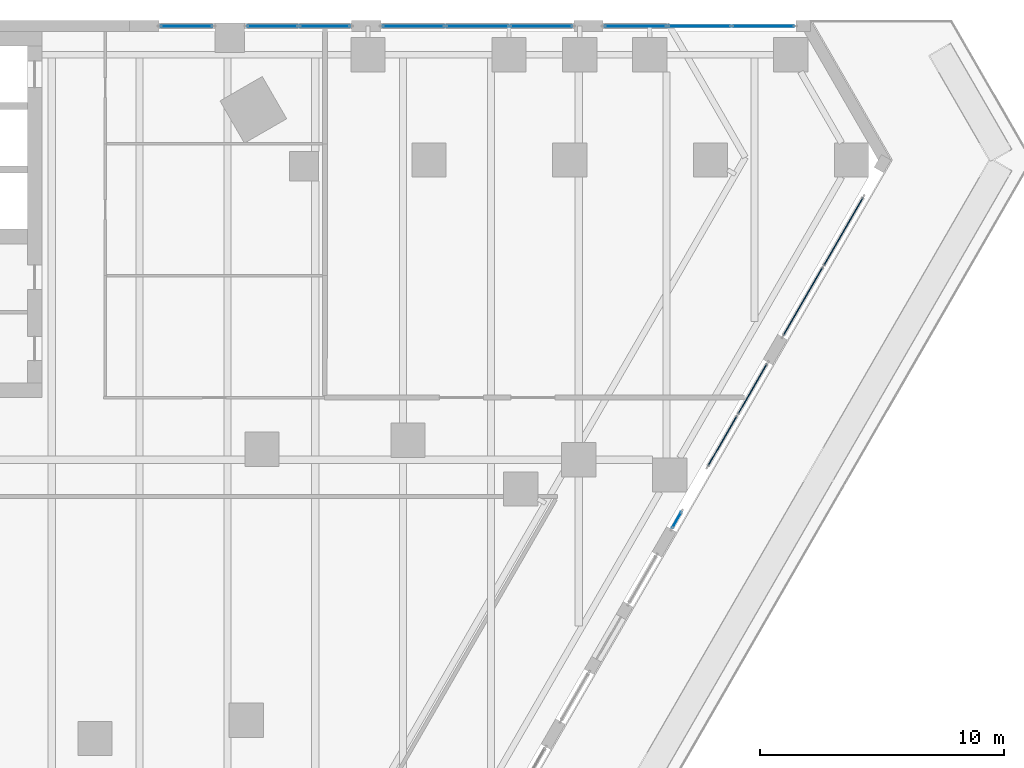
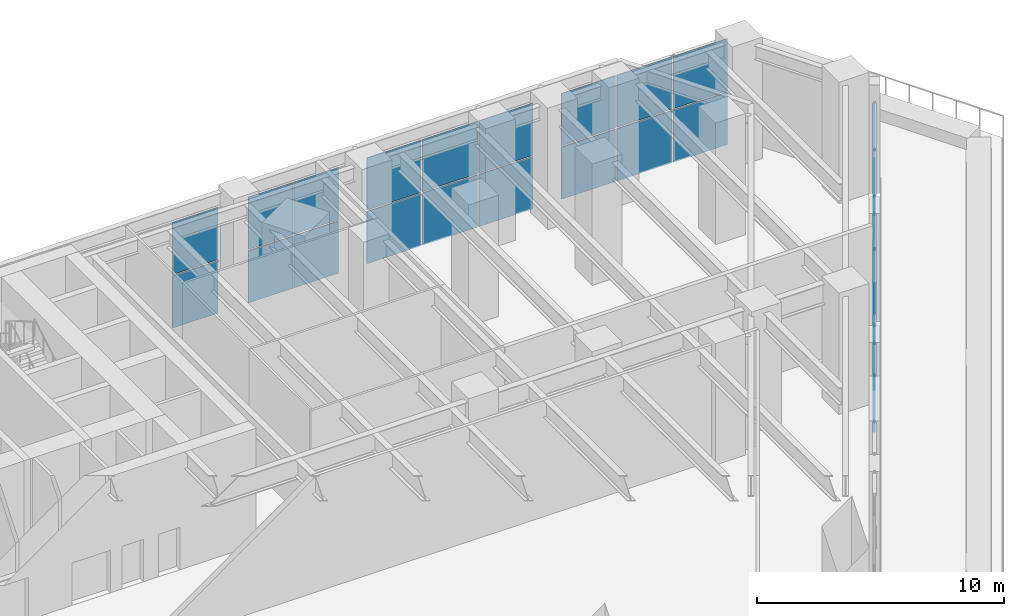
# One storey, part 27 of 40: 28 plates, 7 elements without a shape of their own.
"""IFC4 building model written with IfcOpenShell, lengths in metres."""

from ifc_helpers import new_model, si_unit, direction, frame, origin, origin_2d, place, context, subcontext, project, spatial, rectangle, extrude, material, layer, layer_set, type_object, element, aggregate, save


model = new_model("IFC4")

# Units and contexts
model_context = context("Model", 3, precision=1e-05, world=origin(), true_north=direction((0.0, 1.0)))
body_context = subcontext(model_context, "Body", "Model", "MODEL_VIEW")
ifc_project = project(units=[si_unit("LENGTHUNIT", "METRE"), si_unit("AREAUNIT", "SQUARE_METRE"), si_unit("VOLUMEUNIT", "CUBIC_METRE"), si_unit("PLANEANGLEUNIT", "RADIAN"), si_unit("MASSUNIT", "GRAM", prefix="KILO")], contexts=[model_context])

# Site, building, storey
site_placement = place(None, origin())
site = spatial("IfcSite", under=ifc_project, at=site_placement, CompositionType="ELEMENT")
building_placement = place(site_placement, origin())
building = spatial("IfcBuilding", under=site, at=building_placement, Name="Aloe Facet Convention Tower", CompositionType="ELEMENT")
storey_placement = place(building_placement, frame((0.0, 0.0, 13.5)))
storey = spatial("IfcBuildingStorey", under=building, at=storey_placement, Name="L02", CompositionType="ELEMENT", Elevation=13.5)

# Curtain wall, plates
ifc_material_1 = material(Name="Aluminium, anodised", Category="aluminium")
curtain_wall_type = type_object("IfcCurtainWallType", Name="EV-CW-HALL", PredefinedType="USERDEFINED", material=ifc_material_1)
curtain_wall_1_placement = place(storey_placement, origin())
curtain_wall_1 = element("IfcCurtainWall", 1, at=curtain_wall_1_placement, inside=storey, type_object=curtain_wall_type, Name="CW-L02-N02", ObjectType="UNITISED HALL GLAZING", PredefinedType="USERDEFINED")
ifc_material_2 = material(Name="Clear double glazing", Category="glass")
ifc_layer = layer(ifc_material_2, 0.035888671875)
ifc_layer_set = layer_set([ifc_layer], Name="EV-PANEL-HALL")
plate_type = type_object("IfcPlateType", Name="EV-PANEL-HALL", PredefinedType="CURTAIN_PANEL", material=ifc_layer_set)
plate_1_placement = place(storey_placement, frame((123.561279296875, 134.77490234375, -0.23486328125), z_axis=(0.0, 0.0, 1.0), x_axis=(-1.0, 0.0, 0.0)))
plate_1 = element("IfcPlate", 2, at=plate_1_placement, type_object=plate_type, Name="CW-L02-N02 panel 1.1", PredefinedType="CURTAIN_PANEL", context=body_context, shape_type="SweptSolid", body=[
    extrude(rectangle(XDim=2.535400390625, YDim=0.035888671875, at=origin_2d()), origin(), (0.0, 0.0, 1.0), 2.583740234375),
])
plate_2_placement = place(storey_placement, frame((123.561279296875, 134.77490234375, 2.41357421875), z_axis=(0.0, 0.0, 1.0), x_axis=(-1.0, 0.0, 0.0)))
plate_2 = element("IfcPlate", 3, at=plate_2_placement, type_object=plate_type, Name="CW-L02-N02 panel 1.2", PredefinedType="CURTAIN_PANEL", context=body_context, shape_type="SweptSolid", body=[
    extrude(rectangle(XDim=2.535400390625, YDim=0.035888671875, at=origin_2d()), origin(), (0.0, 0.0, 1.0), 2.583740234375),
])
plate_3_placement = place(storey_placement, frame((120.944580078125, 134.77490234375, -0.23486328125), z_axis=(0.0, 0.0, 1.0), x_axis=(-1.0, 0.0, 0.0)))
plate_3 = element("IfcPlate", 4, at=plate_3_placement, type_object=plate_type, Name="CW-L02-N02 panel 2.1", PredefinedType="CURTAIN_PANEL", context=body_context, shape_type="SweptSolid", body=[
    extrude(rectangle(XDim=2.56787109375, YDim=0.035888671875, at=origin_2d()), origin(), (0.0, 0.0, 1.0), 2.583740234375),
])
plate_4_placement = place(storey_placement, frame((120.944580078125, 134.77490234375, 2.41357421875), z_axis=(0.0, 0.0, 1.0), x_axis=(-1.0, 0.0, 0.0)))
plate_4 = element("IfcPlate", 5, at=plate_4_placement, type_object=plate_type, Name="CW-L02-N02 panel 2.2", PredefinedType="CURTAIN_PANEL", context=body_context, shape_type="SweptSolid", body=[
    extrude(rectangle(XDim=2.56787109375, YDim=0.035888671875, at=origin_2d()), origin(), (0.0, 0.0, 1.0), 2.583740234375),
])
plate_5_placement = place(storey_placement, frame((118.327880859375, 134.77490234375, -0.23486328125), z_axis=(0.0, 0.0, 1.0), x_axis=(-1.0, 0.0, 0.0)))
plate_5 = element("IfcPlate", 6, at=plate_5_placement, type_object=plate_type, Name="CW-L02-N02 panel 3.1", PredefinedType="CURTAIN_PANEL", context=body_context, shape_type="SweptSolid", body=[
    extrude(rectangle(XDim=2.535400390625, YDim=0.035888671875, at=origin_2d()), origin(), (0.0, 0.0, 1.0), 2.583740234375),
])
plate_6_placement = place(storey_placement, frame((118.327880859375, 134.77490234375, 2.41357421875), z_axis=(0.0, 0.0, 1.0), x_axis=(-1.0, 0.0, 0.0)))
plate_6 = element("IfcPlate", 7, at=plate_6_placement, type_object=plate_type, Name="CW-L02-N02 panel 3.2", PredefinedType="CURTAIN_PANEL", context=body_context, shape_type="SweptSolid", body=[
    extrude(rectangle(XDim=2.535400390625, YDim=0.035888671875, at=origin_2d()), origin(), (0.0, 0.0, 1.0), 2.583740234375),
])
aggregate(curtain_wall_1, [plate_1, plate_2, plate_3, plate_4, plate_5, plate_6])

curtain_wall_2_placement = place(storey_placement, origin())
curtain_wall_2 = element("IfcCurtainWall", 8, at=curtain_wall_2_placement, inside=storey, type_object=curtain_wall_type, Name="CW-L02-N04", ObjectType="UNITISED HALL GLAZING", PredefinedType="USERDEFINED")
plate_7_placement = place(storey_placement, frame((114.46240234375, 134.77490234375, -0.23486328125), z_axis=(0.0, 0.0, 1.0), x_axis=(-1.0, 0.0, 0.0)))
plate_7 = element("IfcPlate", 9, at=plate_7_placement, type_object=plate_type, Name="CW-L02-N04 panel 1.1", PredefinedType="CURTAIN_PANEL", context=body_context, shape_type="SweptSolid", body=[
    extrude(rectangle(XDim=2.535400390625, YDim=0.035888671875, at=origin_2d()), origin(), (0.0, 0.0, 1.0), 2.583740234375),
])
plate_8_placement = place(storey_placement, frame((114.46240234375, 134.77490234375, 2.41357421875), z_axis=(0.0, 0.0, 1.0), x_axis=(-1.0, 0.0, 0.0)))
plate_8 = element("IfcPlate", 10, at=plate_8_placement, type_object=plate_type, Name="CW-L02-N04 panel 1.2", PredefinedType="CURTAIN_PANEL", context=body_context, shape_type="SweptSolid", body=[
    extrude(rectangle(XDim=2.535400390625, YDim=0.035888671875, at=origin_2d()), origin(), (0.0, 0.0, 1.0), 2.583740234375),
])
plate_9_placement = place(storey_placement, frame((111.845703125, 134.77490234375, -0.23486328125), z_axis=(0.0, 0.0, 1.0), x_axis=(-1.0, 0.0, 0.0)))
plate_9 = element("IfcPlate", 11, at=plate_9_placement, type_object=plate_type, Name="CW-L02-N04 panel 2.1", PredefinedType="CURTAIN_PANEL", context=body_context, shape_type="SweptSolid", body=[
    extrude(rectangle(XDim=2.56787109375, YDim=0.035888671875, at=origin_2d()), origin(), (0.0, 0.0, 1.0), 2.583740234375),
])
plate_10_placement = place(storey_placement, frame((111.845703125, 134.77490234375, 2.41357421875), z_axis=(0.0, 0.0, 1.0), x_axis=(-1.0, 0.0, 0.0)))
plate_10 = element("IfcPlate", 12, at=plate_10_placement, type_object=plate_type, Name="CW-L02-N04 panel 2.2", PredefinedType="CURTAIN_PANEL", context=body_context, shape_type="SweptSolid", body=[
    extrude(rectangle(XDim=2.56787109375, YDim=0.035888671875, at=origin_2d()), origin(), (0.0, 0.0, 1.0), 2.583740234375),
])
plate_11_placement = place(storey_placement, frame((109.22900390625, 134.77490234375, -0.23486328125), z_axis=(0.0, 0.0, 1.0), x_axis=(-1.0, 0.0, 0.0)))
plate_11 = element("IfcPlate", 13, at=plate_11_placement, type_object=plate_type, Name="CW-L02-N04 panel 3.1", PredefinedType="CURTAIN_PANEL", context=body_context, shape_type="SweptSolid", body=[
    extrude(rectangle(XDim=2.535400390625, YDim=0.035888671875, at=origin_2d()), origin(), (0.0, 0.0, 1.0), 2.583740234375),
])
plate_12_placement = place(storey_placement, frame((109.22900390625, 134.77490234375, 2.41357421875), z_axis=(0.0, 0.0, 1.0), x_axis=(-1.0, 0.0, 0.0)))
plate_12 = element("IfcPlate", 14, at=plate_12_placement, type_object=plate_type, Name="CW-L02-N04 panel 3.2", PredefinedType="CURTAIN_PANEL", context=body_context, shape_type="SweptSolid", body=[
    extrude(rectangle(XDim=2.535400390625, YDim=0.035888671875, at=origin_2d()), origin(), (0.0, 0.0, 1.0), 2.583740234375),
])
aggregate(curtain_wall_2, [plate_7, plate_8, plate_9, plate_10, plate_11, plate_12])

curtain_wall_3_placement = place(storey_placement, origin())
curtain_wall_3 = element("IfcCurtainWall", 15, at=curtain_wall_3_placement, inside=storey, type_object=curtain_wall_type, Name="CW-L02-N06-1", ObjectType="UNITISED HALL GLAZING", PredefinedType="USERDEFINED")
plate_13_placement = place(storey_placement, frame((105.593505859375, 134.77490234375, -0.23486328125), z_axis=(0.0, 0.0, 1.0), x_axis=(-1.0, 0.0, 0.0)))
plate_13 = element("IfcPlate", 16, at=plate_13_placement, type_object=plate_type, Name="CW-L02-N06-1 panel 1.1", PredefinedType="CURTAIN_PANEL", context=body_context, shape_type="SweptSolid", body=[
    extrude(rectangle(XDim=2.07568359375, YDim=0.035888671875, at=origin_2d()), origin(), (0.0, 0.0, 1.0), 2.583740234375),
])
plate_14_placement = place(storey_placement, frame((105.593505859375, 134.77490234375, 2.41357421875), z_axis=(0.0, 0.0, 1.0), x_axis=(-1.0, 0.0, 0.0)))
plate_14 = element("IfcPlate", 17, at=plate_14_placement, type_object=plate_type, Name="CW-L02-N06-1 panel 1.2", PredefinedType="CURTAIN_PANEL", context=body_context, shape_type="SweptSolid", body=[
    extrude(rectangle(XDim=2.07568359375, YDim=0.035888671875, at=origin_2d()), origin(), (0.0, 0.0, 1.0), 2.583740234375),
])
plate_15_placement = place(storey_placement, frame((103.452880859375, 134.77490234375, -0.23486328125), z_axis=(0.0, 0.0, 1.0), x_axis=(-1.0, 0.0, 0.0)))
plate_15 = element("IfcPlate", 18, at=plate_15_placement, type_object=plate_type, Name="CW-L02-N06-1 panel 2.1", PredefinedType="CURTAIN_PANEL", context=body_context, shape_type="SweptSolid", body=[
    extrude(rectangle(XDim=2.07568359375, YDim=0.035888671875, at=origin_2d()), origin(), (0.0, 0.0, 1.0), 2.583740234375),
])
plate_16_placement = place(storey_placement, frame((103.452880859375, 134.77490234375, 2.41357421875), z_axis=(0.0, 0.0, 1.0), x_axis=(-1.0, 0.0, 0.0)))
plate_16 = element("IfcPlate", 19, at=plate_16_placement, type_object=plate_type, Name="CW-L02-N06-1 panel 2.2", PredefinedType="CURTAIN_PANEL", context=body_context, shape_type="SweptSolid", body=[
    extrude(rectangle(XDim=2.07568359375, YDim=0.035888671875, at=origin_2d()), origin(), (0.0, 0.0, 1.0), 2.583740234375),
])
aggregate(curtain_wall_3, [plate_13, plate_14, plate_15, plate_16])

curtain_wall_4_placement = place(storey_placement, origin())
curtain_wall_4 = element("IfcCurtainWall", 20, at=curtain_wall_4_placement, inside=storey, type_object=curtain_wall_type, Name="CW-L02-N06-2", ObjectType="UNITISED HALL GLAZING", PredefinedType="USERDEFINED")
plate_17_placement = place(storey_placement, frame((99.923828125, 134.77490234375, -0.23486328125), z_axis=(0.0, 0.0, 1.0), x_axis=(-1.0, 0.0, 0.0)))
plate_17 = element("IfcPlate", 21, at=plate_17_placement, type_object=plate_type, Name="CW-L02-N06-2 panel 1.1", PredefinedType="CURTAIN_PANEL", context=body_context, shape_type="SweptSolid", body=[
    extrude(rectangle(XDim=2.122314453125, YDim=0.035888671875, at=origin_2d()), origin(), (0.0, 0.0, 1.0), 2.583740234375),
])
plate_18_placement = place(storey_placement, frame((99.923828125, 134.77490234375, 2.41357421875), z_axis=(0.0, 0.0, 1.0), x_axis=(-1.0, 0.0, 0.0)))
plate_18 = element("IfcPlate", 22, at=plate_18_placement, type_object=plate_type, Name="CW-L02-N06-2 panel 1.2", PredefinedType="CURTAIN_PANEL", context=body_context, shape_type="SweptSolid", body=[
    extrude(rectangle(XDim=2.122314453125, YDim=0.035888671875, at=origin_2d()), origin(), (0.0, 0.0, 1.0), 2.583740234375),
])
aggregate(curtain_wall_4, [plate_17, plate_18])

curtain_wall_5_placement = place(storey_placement, origin())
curtain_wall_5 = element("IfcCurtainWall", 23, at=curtain_wall_5_placement, inside=storey, type_object=curtain_wall_type, Name="CW-L02-E18-1", ObjectType="UNITISED HALL GLAZING", PredefinedType="USERDEFINED")
plate_19_placement = place(storey_placement, frame((120.017822265625, 114.533447265625, -0.23486328125), z_axis=(0.0, 0.0, 1.0), x_axis=(0.500000000196, 0.866025403671, 0.0)))
plate_19 = element("IfcPlate", 24, at=plate_19_placement, type_object=plate_type, Name="CW-L02-E18-1 panel 1.1", PredefinedType="CURTAIN_PANEL", context=body_context, shape_type="SweptSolid", body=[
    extrude(rectangle(XDim=0.739990234375, YDim=0.035888671875, at=origin_2d()), origin(), (0.0, 0.0, 1.0), 2.583740234375),
])
plate_20_placement = place(storey_placement, frame((120.017822265625, 114.533447265625, 2.41357421875), z_axis=(0.0, 0.0, 1.0), x_axis=(0.500000000196, 0.866025403671, 0.0)))
plate_20 = element("IfcPlate", 25, at=plate_20_placement, type_object=plate_type, Name="CW-L02-E18-1 panel 1.2", PredefinedType="CURTAIN_PANEL", context=body_context, shape_type="SweptSolid", body=[
    extrude(rectangle(XDim=0.739990234375, YDim=0.035888671875, at=origin_2d()), origin(), (0.0, 0.0, 1.0), 2.583740234375),
])
aggregate(curtain_wall_5, [plate_19, plate_20])

curtain_wall_6_placement = place(storey_placement, origin())
curtain_wall_6 = element("IfcCurtainWall", 26, at=curtain_wall_6_placement, inside=storey, type_object=curtain_wall_type, Name="CW-L02-E18-2", ObjectType="UNITISED HALL GLAZING", PredefinedType="USERDEFINED")
plate_21_placement = place(storey_placement, frame((121.890380859375, 117.77685546875, -0.23486328125), z_axis=(0.0, 0.0, 1.0), x_axis=(0.49999999994, 0.866025403819, 0.0)))
plate_21 = element("IfcPlate", 27, at=plate_21_placement, type_object=plate_type, Name="CW-L02-E18-2 panel 1.1", PredefinedType="CURTAIN_PANEL", context=body_context, shape_type="SweptSolid", body=[
    extrude(rectangle(XDim=2.392333984375, YDim=0.035888671875, at=origin_2d()), origin(), (0.0, 0.0, 1.0), 2.583740234375),
])
plate_22_placement = place(storey_placement, frame((121.890380859375, 117.77685546875, 2.41357421875), z_axis=(0.0, 0.0, 1.0), x_axis=(0.49999999994, 0.866025403819, 0.0)))
plate_22 = element("IfcPlate", 28, at=plate_22_placement, type_object=plate_type, Name="CW-L02-E18-2 panel 1.2", PredefinedType="CURTAIN_PANEL", context=body_context, shape_type="SweptSolid", body=[
    extrude(rectangle(XDim=2.392333984375, YDim=0.035888671875, at=origin_2d()), origin(), (0.0, 0.0, 1.0), 2.583740234375),
])
plate_23_placement = place(storey_placement, frame((123.119140625, 119.905029296875, -0.23486328125), z_axis=(0.0, 0.0, 1.0), x_axis=(0.49999999994, 0.866025403819, 0.0)))
plate_23 = element("IfcPlate", 29, at=plate_23_placement, type_object=plate_type, Name="CW-L02-E18-2 panel 2.1", PredefinedType="CURTAIN_PANEL", context=body_context, shape_type="SweptSolid", body=[
    extrude(rectangle(XDim=2.392333984375, YDim=0.035888671875, at=origin_2d()), origin(), (0.0, 0.0, 1.0), 2.583740234375),
])
plate_24_placement = place(storey_placement, frame((123.119140625, 119.905029296875, 2.41357421875), z_axis=(0.0, 0.0, 1.0), x_axis=(0.49999999994, 0.866025403819, 0.0)))
plate_24 = element("IfcPlate", 30, at=plate_24_placement, type_object=plate_type, Name="CW-L02-E18-2 panel 2.2", PredefinedType="CURTAIN_PANEL", context=body_context, shape_type="SweptSolid", body=[
    extrude(rectangle(XDim=2.392333984375, YDim=0.035888671875, at=origin_2d()), origin(), (0.0, 0.0, 1.0), 2.583740234375),
])
aggregate(curtain_wall_6, [plate_21, plate_22, plate_23, plate_24])

curtain_wall_7_placement = place(storey_placement, origin())
curtain_wall_7 = element("IfcCurtainWall", 31, at=curtain_wall_7_placement, inside=storey, type_object=curtain_wall_type, Name="CW-L02-E20", ObjectType="UNITISED HALL GLAZING", PredefinedType="USERDEFINED")
plate_25_placement = place(storey_placement, frame((125.191162109375, 123.49365234375, -0.23486328125), z_axis=(0.0, 0.0, 1.0), x_axis=(0.499999999924, 0.866025403828, 0.0)))
plate_25 = element("IfcPlate", 32, at=plate_25_placement, type_object=plate_type, Name="CW-L02-E20 panel 1.1", PredefinedType="CURTAIN_PANEL", context=body_context, shape_type="SweptSolid", body=[
    extrude(rectangle(XDim=3.2353515625, YDim=0.035888671875, at=origin_2d()), origin(), (0.0, 0.0, 1.0), 2.583740234375),
])
plate_26_placement = place(storey_placement, frame((125.191162109375, 123.49365234375, 2.41357421875), z_axis=(0.0, 0.0, 1.0), x_axis=(0.499999999924, 0.866025403828, 0.0)))
plate_26 = element("IfcPlate", 33, at=plate_26_placement, type_object=plate_type, Name="CW-L02-E20 panel 1.2", PredefinedType="CURTAIN_PANEL", context=body_context, shape_type="SweptSolid", body=[
    extrude(rectangle(XDim=3.2353515625, YDim=0.035888671875, at=origin_2d()), origin(), (0.0, 0.0, 1.0), 2.583740234375),
])
plate_27_placement = place(storey_placement, frame((126.84130859375, 126.351806640625, -0.23486328125), z_axis=(0.0, 0.0, 1.0), x_axis=(0.499999999924, 0.866025403828, 0.0)))
plate_27 = element("IfcPlate", 34, at=plate_27_placement, type_object=plate_type, Name="CW-L02-E20 panel 2.1", PredefinedType="CURTAIN_PANEL", context=body_context, shape_type="SweptSolid", body=[
    extrude(rectangle(XDim=3.2353515625, YDim=0.035888671875, at=origin_2d()), origin(), (0.0, 0.0, 1.0), 2.583740234375),
])
plate_28_placement = place(storey_placement, frame((126.84130859375, 126.351806640625, 2.41357421875), z_axis=(0.0, 0.0, 1.0), x_axis=(0.499999999924, 0.866025403828, 0.0)))
plate_28 = element("IfcPlate", 35, at=plate_28_placement, type_object=plate_type, Name="CW-L02-E20 panel 2.2", PredefinedType="CURTAIN_PANEL", context=body_context, shape_type="SweptSolid", body=[
    extrude(rectangle(XDim=3.2353515625, YDim=0.035888671875, at=origin_2d()), origin(), (0.0, 0.0, 1.0), 2.583740234375),
])
aggregate(curtain_wall_7, [plate_25, plate_26, plate_27, plate_28])

save(model, "model.ifc")
